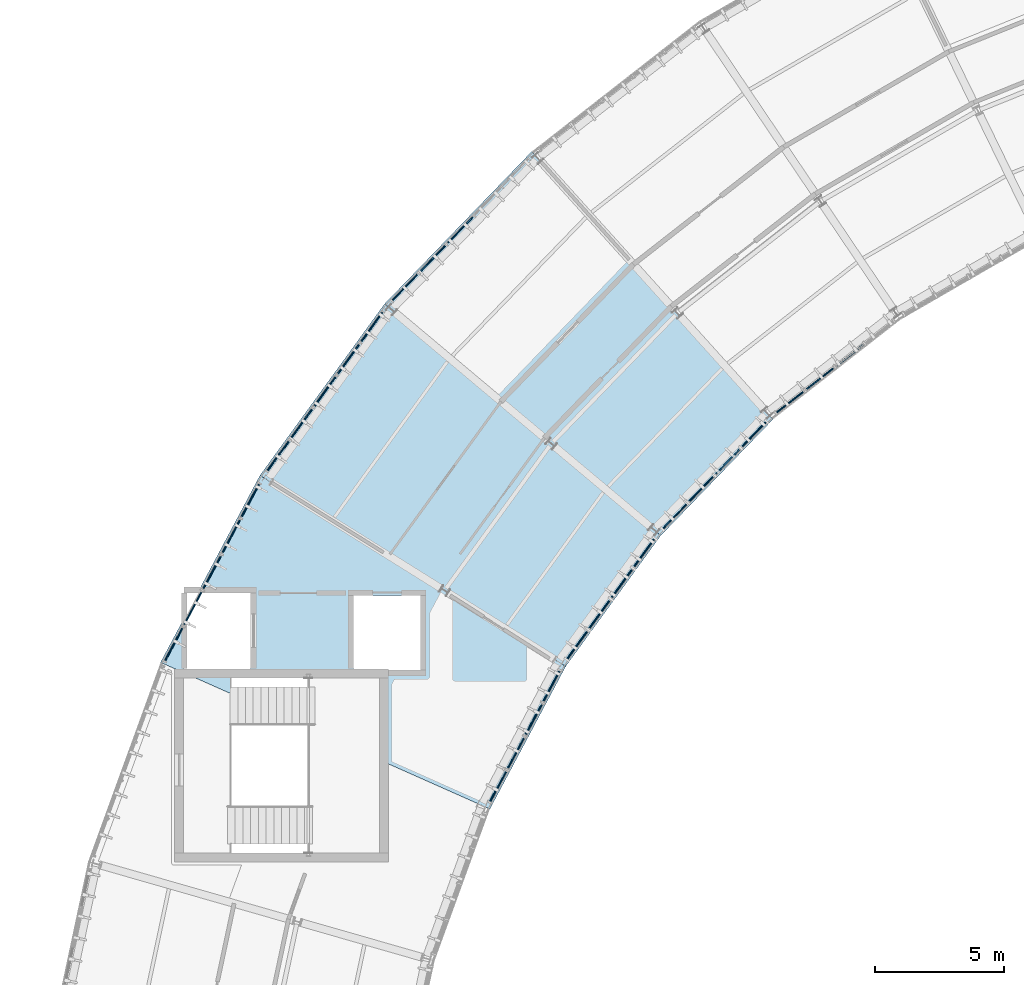
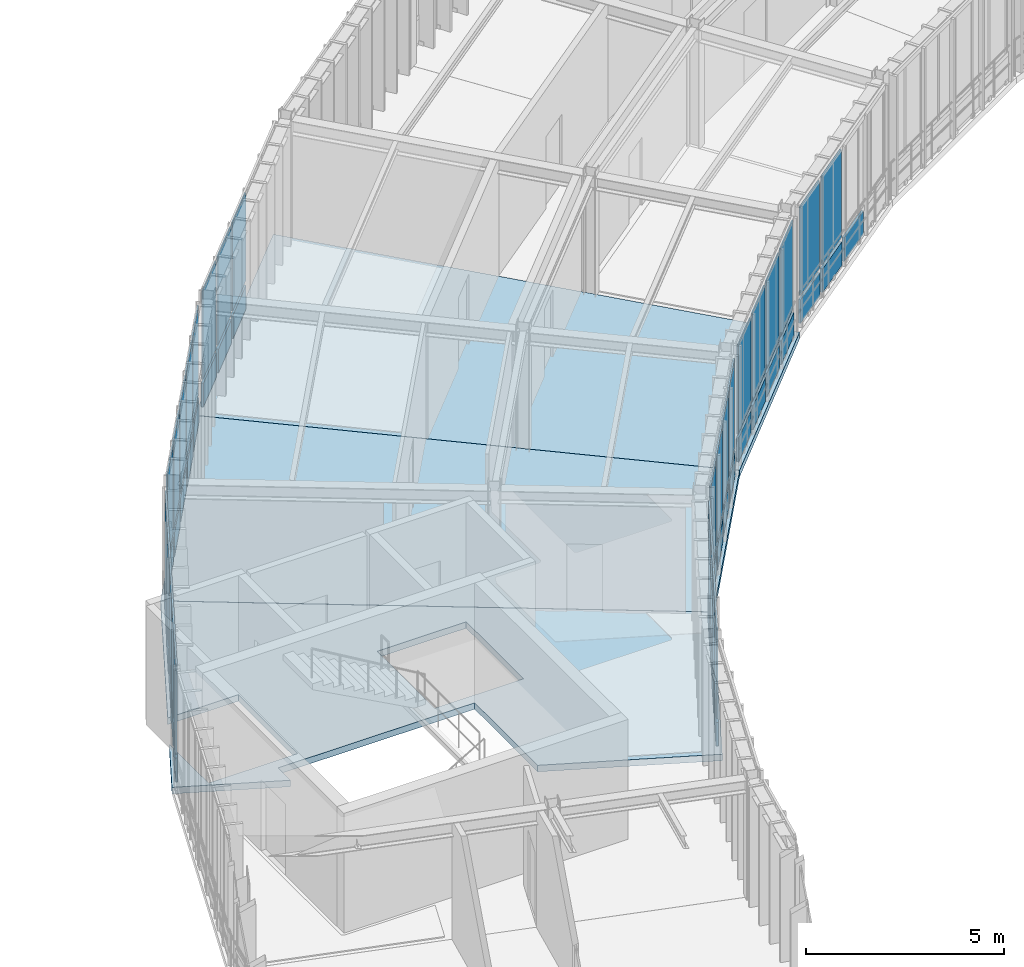
# One storey, part 20 of 41: 55 plates, 3 slabs, 7 elements without a shape of their own.
"""IFC4 building model written with IfcOpenShell, lengths in metres."""

from ifc_helpers import new_model, si_unit, direction, frame, origin, origin_2d, place, context, subcontext, project, spatial, polyline, rectangle, outline, extrude, material, layer, layer_set, type_object, element, aggregate, save


model = new_model("IFC4")

# Units and contexts
model_context = context("Model", 3, precision=1e-05, world=origin(), true_north=direction((0.0, 1.0)))
body_context = subcontext(model_context, "Body", "Model", "MODEL_VIEW")
ifc_project = project(units=[si_unit("LENGTHUNIT", "METRE"), si_unit("AREAUNIT", "SQUARE_METRE"), si_unit("VOLUMEUNIT", "CUBIC_METRE"), si_unit("PLANEANGLEUNIT", "RADIAN"), si_unit("MASSUNIT", "GRAM", prefix="KILO"), si_unit("THERMODYNAMICTEMPERATUREUNIT", "KELVIN"), si_unit("POWERUNIT", "WATT")], contexts=[model_context])

# Site, building, storey
site_placement = place(None, origin())
site = spatial("IfcSite", under=ifc_project, at=site_placement, CompositionType="ELEMENT")
building_placement = place(site_placement, origin())
building = spatial("IfcBuilding", under=site, at=building_placement, Name="Solvatero Civic Police Headquarters", CompositionType="ELEMENT")
storey_placement = place(building_placement, frame((0.0, 0.0, 17.699951171875)))
storey = spatial("IfcBuildingStorey", under=building, at=storey_placement, Name="L04", CompositionType="ELEMENT", Elevation=17.699951171875)

# Curtain wall, plate
ifc_material_1 = material(Name="Anodized Bronze Aluminium", Category="aluminium")
ifc_layer_1 = layer(ifc_material_1, 0.179931640625)
ifc_layer_set_1 = layer_set([ifc_layer_1], Name="Anodized Bronze Aluminium")
curtain_wall_type_1 = type_object("IfcCurtainWallType", Name="CW-ARC-IN", PredefinedType="USERDEFINED", material=ifc_layer_set_1)
curtain_wall_1_placement = place(storey_placement, origin())
curtain_wall_1 = element("IfcCurtainWall", 1, at=curtain_wall_1_placement, inside=storey, type_object=curtain_wall_type_1, Name="Curtain Wall CW-R2-L04-ARC-IN-B06", ObjectType="UNITISED", PredefinedType="USERDEFINED")
ifc_material_2 = material(Name="Triple Low-E Laminated Glass", Category="glass")
ifc_layer_2 = layer(ifc_material_2, 0.0380859375)
ifc_layer_set_2 = layer_set([ifc_layer_2], Name="Triple Low-E Laminated Glass")
plate_type_1 = type_object("IfcPlateType", Name="CWP-GLZ-38", PredefinedType="CURTAIN_PANEL", material=ifc_layer_set_2)
plate_1_placement = place(storey_placement, frame((64.55029296875, 60.110107421875, 0.91015625), z_axis=(0.0, 0.0, 1.0), x_axis=(-0.788010753607, -0.615661475326, 0.0)))
plate_1 = element("IfcPlate", 2, at=plate_1_placement, type_object=plate_type_1, Name="CW-R2-L04-ARC-IN-B06 Vision Glazing 4", PredefinedType="CURTAIN_PANEL", context=body_context, shape_type="SweptSolid", body=[
    extrude(rectangle(XDim=1.294189453125, YDim=0.0380859375, at=origin_2d()), origin(), (0.0, 0.0, 1.0), 2.72998046875),
])

# Curtain wall, plates
ifc_layer_3 = layer(ifc_material_1, 0.179931640625)
ifc_layer_set_3 = layer_set([ifc_layer_3], Name="Anodized Bronze Aluminium")
curtain_wall_type_2 = type_object("IfcCurtainWallType", Name="CW-ARC-OUT", PredefinedType="USERDEFINED", material=ifc_layer_set_3)
curtain_wall_2_placement = place(storey_placement, origin())
curtain_wall_2 = element("IfcCurtainWall", 3, at=curtain_wall_2_placement, inside=storey, type_object=curtain_wall_type_2, Name="Curtain Wall CW-R2-L04-ARC-OUT-B07", ObjectType="UNITISED", PredefinedType="USERDEFINED")
plate_2_placement = place(storey_placement, frame((51.7451171875, 66.79833984375, 0.91015625), z_axis=(0.0, 0.0, 1.0), x_axis=(-0.694645815505, -0.719351924305, 0.0)))
plate_2 = element("IfcPlate", 4, at=plate_2_placement, type_object=plate_type_1, Name="CW-R2-L04-ARC-OUT-B07 Vision Glazing 3", PredefinedType="CURTAIN_PANEL", context=body_context, shape_type="SweptSolid", body=[
    extrude(rectangle(XDim=1.37060546875, YDim=0.0380859375, at=origin_2d()), origin(), (0.0, 0.0, 1.0), 2.72998046875),
])
plate_3_placement = place(storey_placement, frame((49.5908203125, 64.567626953125, 0.91015625), z_axis=(0.0, 0.0, 1.0), x_axis=(-0.694645815505, -0.719351924305, 0.0)))
plate_3 = element("IfcPlate", 5, at=plate_3_placement, type_object=plate_type_1, Name="CW-R2-L04-ARC-OUT-B07 Vision Glazing 5", PredefinedType="CURTAIN_PANEL", context=body_context, shape_type="SweptSolid", body=[
    extrude(rectangle(XDim=1.37060546875, YDim=0.0380859375, at=origin_2d()), origin(), (0.0, 0.0, 1.0), 2.72998046875),
])

curtain_wall_3_placement = place(storey_placement, origin())
curtain_wall_3 = element("IfcCurtainWall", 6, at=curtain_wall_3_placement, inside=storey, type_object=curtain_wall_type_1, Name="Curtain Wall CW-R2-L04-ARC-IN-B07", ObjectType="UNITISED", PredefinedType="USERDEFINED")
plate_4_placement = place(storey_placement, frame((62.131103515625, 57.793212890625, 0.91015625), z_axis=(0.0, 0.0, 1.0), x_axis=(-0.694658370459, -0.719339800339, 0.0)))
plate_4 = element("IfcPlate", 7, at=plate_4_placement, type_object=plate_type_1, Name="CW-R2-L04-ARC-IN-B07 Vision Glazing 2", PredefinedType="CURTAIN_PANEL", context=body_context, shape_type="SweptSolid", body=[
    extrude(rectangle(XDim=1.294189453125, YDim=0.0380859375, at=origin_2d()), origin(), (0.0, 0.0, 1.0), 2.72998046875),
])
plate_5_placement = place(storey_placement, frame((60.082763671875, 55.67236328125, 0.91015625), z_axis=(0.0, 0.0, 1.0), x_axis=(-0.694658370459, -0.719339800339, 0.0)))
plate_5 = element("IfcPlate", 8, at=plate_5_placement, type_object=plate_type_1, Name="CW-R2-L04-ARC-IN-B07 Vision Glazing 4", PredefinedType="CURTAIN_PANEL", context=body_context, shape_type="SweptSolid", body=[
    extrude(rectangle(XDim=1.294189453125, YDim=0.0380859375, at=origin_2d()), origin(), (0.0, 0.0, 1.0), 2.72998046875),
])

curtain_wall_4_placement = place(storey_placement, origin())
curtain_wall_4 = element("IfcCurtainWall", 9, at=curtain_wall_4_placement, inside=storey, type_object=curtain_wall_type_2, Name="Curtain Wall CW-R2-L04-ARC-OUT-B08", ObjectType="UNITISED", PredefinedType="USERDEFINED")
plate_6_placement = place(storey_placement, frame((48.306884765625, 63.037353515625, 0.91015625), z_axis=(0.0, 0.0, 1.0), x_axis=(-0.587785252292, -0.809016994375, 0.0)))
plate_6 = element("IfcPlate", 10, at=plate_6_placement, type_object=plate_type_1, Name="CW-R2-L04-ARC-OUT-B08 Vision Glazing 1", PredefinedType="CURTAIN_PANEL", context=body_context, shape_type="SweptSolid", body=[
    extrude(rectangle(XDim=1.37060546875, YDim=0.0380859375, at=origin_2d()), origin(), (0.0, 0.0, 1.0), 2.72998046875),
])
plate_7_placement = place(storey_placement, frame((46.484130859375, 60.528564453125, 0.91015625), z_axis=(0.0, 0.0, 1.0), x_axis=(-0.587785252292, -0.809016994375, 0.0)))
plate_7 = element("IfcPlate", 11, at=plate_7_placement, type_object=plate_type_1, Name="CW-R2-L04-ARC-OUT-B08 Vision Glazing 3", PredefinedType="CURTAIN_PANEL", context=body_context, shape_type="SweptSolid", body=[
    extrude(rectangle(XDim=1.37060546875, YDim=0.0380859375, at=origin_2d()), origin(), (0.0, 0.0, 1.0), 2.72998046875),
])
plate_8_placement = place(storey_placement, frame((44.661376953125, 58.019775390625, 0.91015625), z_axis=(0.0, 0.0, 1.0), x_axis=(-0.587785252292, -0.809016994375, 0.0)))
plate_8 = element("IfcPlate", 12, at=plate_8_placement, type_object=plate_type_1, Name="CW-R2-L04-ARC-OUT-B08 Vision Glazing 5", PredefinedType="CURTAIN_PANEL", context=body_context, shape_type="SweptSolid", body=[
    extrude(rectangle(XDim=1.37060546875, YDim=0.0380859375, at=origin_2d()), origin(), (0.0, 0.0, 1.0), 2.72998046875),
])

curtain_wall_5_placement = place(storey_placement, origin())
curtain_wall_5 = element("IfcCurtainWall", 13, at=curtain_wall_5_placement, inside=storey, type_object=curtain_wall_type_1, Name="Curtain Wall CW-R2-L04-ARC-IN-B08", ObjectType="UNITISED", PredefinedType="USERDEFINED")
plate_9_placement = place(storey_placement, frame((58.022216796875, 53.056640625, 0.91015625), z_axis=(0.0, 0.0, 1.0), x_axis=(-0.587799372213, -0.809006735464, 0.0)))
plate_9 = element("IfcPlate", 14, at=plate_9_placement, type_object=plate_type_1, Name="CW-R2-L04-ARC-IN-B08 Vision Glazing 2", PredefinedType="CURTAIN_PANEL", context=body_context, shape_type="SweptSolid", body=[
    extrude(rectangle(XDim=1.294189453125, YDim=0.0380859375, at=origin_2d()), origin(), (0.0, 0.0, 1.0), 2.72998046875),
])
plate_10_placement = place(storey_placement, frame((56.289306640625, 50.67138671875, 0.91015625), z_axis=(0.0, 0.0, 1.0), x_axis=(-0.587799372213, -0.809006735464, 0.0)))
plate_10 = element("IfcPlate", 15, at=plate_10_placement, type_object=plate_type_1, Name="CW-R2-L04-ARC-IN-B08 Vision Glazing 4", PredefinedType="CURTAIN_PANEL", context=body_context, shape_type="SweptSolid", body=[
    extrude(rectangle(XDim=1.294189453125, YDim=0.0380859375, at=origin_2d()), origin(), (0.0, 0.0, 1.0), 2.72998046875),
])

curtain_wall_6_placement = place(storey_placement, origin())
curtain_wall_6 = element("IfcCurtainWall", 16, at=curtain_wall_6_placement, inside=storey, type_object=curtain_wall_type_2, Name="Curtain Wall CW-R2-L04-ARC-OUT-B09", ObjectType="UNITISED", PredefinedType="USERDEFINED")
plate_11_placement = place(storey_placement, frame((43.58447265625, 56.294189453125, 0.91015625), z_axis=(0.0, 0.0, 1.0), x_axis=(-0.469486973057, -0.8829393989, 0.0)))
plate_11 = element("IfcPlate", 17, at=plate_11_placement, type_object=plate_type_1, Name="CW-R2-L04-ARC-OUT-B09 Vision Glazing 1", PredefinedType="CURTAIN_PANEL", context=body_context, shape_type="SweptSolid", body=[
    extrude(rectangle(XDim=1.40380859375, YDim=0.0380859375, at=origin_2d()), origin(), (0.0, 0.0, 1.0), 2.72998046875),
])
plate_12_placement = place(storey_placement, frame((42.097412109375, 53.49755859375, 0.91015625), z_axis=(0.0, 0.0, 1.0), x_axis=(-0.469486973057, -0.8829393989, 0.0)))
plate_12 = element("IfcPlate", 18, at=plate_12_placement, type_object=plate_type_1, Name="CW-R2-L04-ARC-OUT-B09 Vision Glazing 3", PredefinedType="CURTAIN_PANEL", context=body_context, shape_type="SweptSolid", body=[
    extrude(rectangle(XDim=1.40380859375, YDim=0.0380859375, at=origin_2d()), origin(), (0.0, 0.0, 1.0), 2.72998046875),
])
plate_13_placement = place(storey_placement, frame((40.6103515625, 50.70068359375, 0.91015625), z_axis=(0.0, 0.0, 1.0), x_axis=(-0.469486973057, -0.8829393989, 0.0)))
plate_13 = element("IfcPlate", 19, at=plate_13_placement, type_object=plate_type_1, Name="CW-R2-L04-ARC-OUT-B09 Vision Glazing 5", PredefinedType="CURTAIN_PANEL", context=body_context, shape_type="SweptSolid", body=[
    extrude(rectangle(XDim=1.40380859375, YDim=0.0380859375, at=origin_2d()), origin(), (0.0, 0.0, 1.0), 2.72998046875),
])

curtain_wall_7_placement = place(storey_placement, origin())
curtain_wall_7 = element("IfcCurtainWall", 20, at=curtain_wall_7_placement, inside=storey, type_object=curtain_wall_type_1, Name="Curtain Wall CW-R2-L04-ARC-IN-B09", ObjectType="UNITISED", PredefinedType="USERDEFINED")
plate_14_placement = place(storey_placement, frame((54.60205078125, 47.77734375, 0.91015625), z_axis=(0.0, 0.0, 1.0), x_axis=(-0.469486973057, -0.8829393989, 0.0)))
plate_14 = element("IfcPlate", 21, at=plate_14_placement, type_object=plate_type_1, Name="CW-R2-L04-ARC-IN-B09 Vision Glazing 2", PredefinedType="CURTAIN_PANEL", context=body_context, shape_type="SweptSolid", body=[
    extrude(rectangle(XDim=1.294189453125, YDim=0.0380859375, at=origin_2d()), origin(), (0.0, 0.0, 1.0), 2.72998046875),
])
plate_15_placement = place(storey_placement, frame((53.218017578125, 45.174072265625, 0.91015625), z_axis=(0.0, 0.0, 1.0), x_axis=(-0.469486973057, -0.8829393989, 0.0)))
plate_15 = element("IfcPlate", 22, at=plate_15_placement, type_object=plate_type_1, Name="CW-R2-L04-ARC-IN-B09 Vision Glazing 4", PredefinedType="CURTAIN_PANEL", context=body_context, shape_type="SweptSolid", body=[
    extrude(rectangle(XDim=1.294189453125, YDim=0.0380859375, at=origin_2d()), origin(), (0.0, 0.0, 1.0), 2.72998046875),
])

# Plate
ifc_material_3 = material(Name="Acoustic Ballistic Laminated Glass", Category="glass")
ifc_layer_4 = layer(ifc_material_3, 0.0439453125)
ifc_layer_set_4 = layer_set([ifc_layer_4], Name="Acoustic Ballistic Laminated Glass")
plate_type_2 = type_object("IfcPlateType", Name="CWP-GLZ-44", PredefinedType="CURTAIN_PANEL", material=ifc_layer_set_4)
plate_16_placement = place(storey_placement, frame((65.712158203125, 61.017578125, 0.91015625), z_axis=(0.0, 0.0, 1.0), x_axis=(-0.788010753607, -0.615661475326, 0.0)))
plate_16 = element("IfcPlate", 23, at=plate_16_placement, type_object=plate_type_2, Name="CW-R2-L04-ARC-IN-B06 Vision Glazing 3", PredefinedType="CURTAIN_PANEL", context=body_context, shape_type="SweptSolid", body=[
    extrude(rectangle(XDim=1.294189453125, YDim=0.0439453125, at=origin_2d()), origin(), (0.0, 0.0, 1.0), 2.72998046875),
])

plate_17_placement = place(storey_placement, frame((50.66796875, 65.682861328125, 0.91015625), z_axis=(0.0, 0.0, 1.0), x_axis=(-0.694645815505, -0.719351924305, 0.0)))
plate_17 = element("IfcPlate", 24, at=plate_17_placement, type_object=plate_type_2, Name="CW-R2-L04-ARC-OUT-B07 Vision Glazing 4", PredefinedType="CURTAIN_PANEL", context=body_context, shape_type="SweptSolid", body=[
    extrude(rectangle(XDim=1.37060546875, YDim=0.0439453125, at=origin_2d()), origin(), (0.0, 0.0, 1.0), 2.72998046875),
])

plate_18_placement = place(storey_placement, frame((63.155029296875, 58.853759765625, 0.91015625), z_axis=(0.0, 0.0, 1.0), x_axis=(-0.694658370459, -0.719339800339, 0.0)))
plate_18 = element("IfcPlate", 25, at=plate_18_placement, type_object=plate_type_2, Name="CW-R2-L04-ARC-IN-B07 Vision Glazing 1", PredefinedType="CURTAIN_PANEL", context=body_context, shape_type="SweptSolid", body=[
    extrude(rectangle(XDim=1.294189453125, YDim=0.0439453125, at=origin_2d()), origin(), (0.0, 0.0, 1.0), 2.72998046875),
])

plate_19_placement = place(storey_placement, frame((61.10693359375, 56.73291015625, 0.91015625), z_axis=(0.0, 0.0, 1.0), x_axis=(-0.694658370459, -0.719339800339, 0.0)))
plate_19 = element("IfcPlate", 26, at=plate_19_placement, type_object=plate_type_2, Name="CW-R2-L04-ARC-IN-B07 Vision Glazing 3", PredefinedType="CURTAIN_PANEL", context=body_context, shape_type="SweptSolid", body=[
    extrude(rectangle(XDim=1.294189453125, YDim=0.0439453125, at=origin_2d()), origin(), (0.0, 0.0, 1.0), 2.72998046875),
])

plate_20_placement = place(storey_placement, frame((47.3955078125, 61.782958984375, 0.91015625), z_axis=(0.0, 0.0, 1.0), x_axis=(-0.587785252292, -0.809016994375, 0.0)))
plate_20 = element("IfcPlate", 27, at=plate_20_placement, type_object=plate_type_2, Name="CW-R2-L04-ARC-OUT-B08 Vision Glazing 2", PredefinedType="CURTAIN_PANEL", context=body_context, shape_type="SweptSolid", body=[
    extrude(rectangle(XDim=1.37060546875, YDim=0.0439453125, at=origin_2d()), origin(), (0.0, 0.0, 1.0), 2.72998046875),
])

plate_21_placement = place(storey_placement, frame((45.57275390625, 59.274169921875, 0.91015625), z_axis=(0.0, 0.0, 1.0), x_axis=(-0.587785252292, -0.809016994375, 0.0)))
plate_21 = element("IfcPlate", 28, at=plate_21_placement, type_object=plate_type_2, Name="CW-R2-L04-ARC-OUT-B08 Vision Glazing 4", PredefinedType="CURTAIN_PANEL", context=body_context, shape_type="SweptSolid", body=[
    extrude(rectangle(XDim=1.37060546875, YDim=0.0439453125, at=origin_2d()), origin(), (0.0, 0.0, 1.0), 2.72998046875),
])

plate_22_placement = place(storey_placement, frame((58.888916015625, 54.24951171875, 0.91015625), z_axis=(0.0, 0.0, 1.0), x_axis=(-0.587799372213, -0.809006735464, 0.0)))
plate_22 = element("IfcPlate", 29, at=plate_22_placement, type_object=plate_type_2, Name="CW-R2-L04-ARC-IN-B08 Vision Glazing 1", PredefinedType="CURTAIN_PANEL", context=body_context, shape_type="SweptSolid", body=[
    extrude(rectangle(XDim=1.294189453125, YDim=0.0439453125, at=origin_2d()), origin(), (0.0, 0.0, 1.0), 2.72998046875),
])

plate_23_placement = place(storey_placement, frame((57.15576171875, 51.864013671875, 0.91015625), z_axis=(0.0, 0.0, 1.0), x_axis=(-0.587799372213, -0.809006735464, 0.0)))
plate_23 = element("IfcPlate", 30, at=plate_23_placement, type_object=plate_type_2, Name="CW-R2-L04-ARC-IN-B08 Vision Glazing 3", PredefinedType="CURTAIN_PANEL", context=body_context, shape_type="SweptSolid", body=[
    extrude(rectangle(XDim=1.294189453125, YDim=0.0439453125, at=origin_2d()), origin(), (0.0, 0.0, 1.0), 2.72998046875),
])

plate_24_placement = place(storey_placement, frame((42.8408203125, 54.895751953125, 0.91015625), z_axis=(0.0, 0.0, 1.0), x_axis=(-0.469486973057, -0.8829393989, 0.0)))
plate_24 = element("IfcPlate", 31, at=plate_24_placement, type_object=plate_type_2, Name="CW-R2-L04-ARC-OUT-B09 Vision Glazing 2", PredefinedType="CURTAIN_PANEL", context=body_context, shape_type="SweptSolid", body=[
    extrude(rectangle(XDim=1.40380859375, YDim=0.0439453125, at=origin_2d()), origin(), (0.0, 0.0, 1.0), 2.72998046875),
])

plate_25_placement = place(storey_placement, frame((41.35400390625, 52.09912109375, 0.91015625), z_axis=(0.0, 0.0, 1.0), x_axis=(-0.469486973057, -0.8829393989, 0.0)))
plate_25 = element("IfcPlate", 32, at=plate_25_placement, type_object=plate_type_2, Name="CW-R2-L04-ARC-OUT-B09 Vision Glazing 4", PredefinedType="CURTAIN_PANEL", context=body_context, shape_type="SweptSolid", body=[
    extrude(rectangle(XDim=1.40380859375, YDim=0.0439453125, at=origin_2d()), origin(), (0.0, 0.0, 1.0), 2.72998046875),
])

plate_26_placement = place(storey_placement, frame((55.294189453125, 49.0791015625, 0.91015625), z_axis=(0.0, 0.0, 1.0), x_axis=(-0.469486973057, -0.8829393989, 0.0)))
plate_26 = element("IfcPlate", 33, at=plate_26_placement, type_object=plate_type_2, Name="CW-R2-L04-ARC-IN-B09 Vision Glazing 1", PredefinedType="CURTAIN_PANEL", context=body_context, shape_type="SweptSolid", body=[
    extrude(rectangle(XDim=1.294189453125, YDim=0.0439453125, at=origin_2d()), origin(), (0.0, 0.0, 1.0), 2.72998046875),
])

plate_27_placement = place(storey_placement, frame((53.909912109375, 46.4755859375, 0.91015625), z_axis=(0.0, 0.0, 1.0), x_axis=(-0.469486973057, -0.8829393989, 0.0)))
plate_27 = element("IfcPlate", 34, at=plate_27_placement, type_object=plate_type_2, Name="CW-R2-L04-ARC-IN-B09 Vision Glazing 3", PredefinedType="CURTAIN_PANEL", context=body_context, shape_type="SweptSolid", body=[
    extrude(rectangle(XDim=1.294189453125, YDim=0.0439453125, at=origin_2d()), origin(), (0.0, 0.0, 1.0), 2.72998046875),
])

ifc_material_4 = material(Name="Insulated Bronze Aluminium Spandrel", Category="aluminium")
ifc_layer_5 = layer(ifc_material_4, 0.06005859375)
ifc_layer_set_5 = layer_set([ifc_layer_5], Name="Insulated Bronze Aluminium Spandrel")
plate_type_3 = type_object("IfcPlateType", Name="CWP-SPN-60", PredefinedType="CURTAIN_PANEL", material=ifc_layer_set_5)
plate_28_placement = place(storey_placement, frame((66.873779296875, 61.92529296875, 0.06005859375), z_axis=(0.0, 0.0, 1.0), x_axis=(-0.788010753607, -0.615661475326, 0.0)))
plate_28 = element("IfcPlate", 35, at=plate_28_placement, type_object=plate_type_3, Name="CW-R2-L04-ARC-IN-B06 Spandrel Panel 2", PredefinedType="CURTAIN_PANEL", context=body_context, shape_type="SweptSolid", body=[
    extrude(rectangle(XDim=1.294189453125, YDim=0.06005859375, at=origin_2d()), origin(), (0.0, 0.0, 1.0), 0.72998046875),
])

plate_29_placement = place(storey_placement, frame((64.55029296875, 60.110107421875, 0.06005859375), z_axis=(0.0, 0.0, 1.0), x_axis=(-0.788010753607, -0.615661475326, 0.0)))
plate_29 = element("IfcPlate", 36, at=plate_29_placement, type_object=plate_type_3, Name="CW-R2-L04-ARC-IN-B06 Spandrel Panel 4", PredefinedType="CURTAIN_PANEL", context=body_context, shape_type="SweptSolid", body=[
    extrude(rectangle(XDim=1.294189453125, YDim=0.06005859375, at=origin_2d()), origin(), (0.0, 0.0, 1.0), 0.72998046875),
])

plate_30_placement = place(storey_placement, frame((51.7451171875, 66.79833984375, 0.06005859375), z_axis=(0.0, 0.0, 1.0), x_axis=(-0.694645815505, -0.719351924305, 0.0)))
plate_30 = element("IfcPlate", 37, at=plate_30_placement, type_object=plate_type_3, Name="CW-R2-L04-ARC-OUT-B07 Spandrel Panel 3", PredefinedType="CURTAIN_PANEL", context=body_context, shape_type="SweptSolid", body=[
    extrude(rectangle(XDim=1.37060546875, YDim=0.06005859375, at=origin_2d()), origin(), (0.0, 0.0, 1.0), 0.72998046875),
])

plate_31_placement = place(storey_placement, frame((49.5908203125, 64.567626953125, 0.06005859375), z_axis=(0.0, 0.0, 1.0), x_axis=(-0.694645815505, -0.719351924305, 0.0)))
plate_31 = element("IfcPlate", 38, at=plate_31_placement, type_object=plate_type_3, Name="CW-R2-L04-ARC-OUT-B07 Spandrel Panel 5", PredefinedType="CURTAIN_PANEL", context=body_context, shape_type="SweptSolid", body=[
    extrude(rectangle(XDim=1.37060546875, YDim=0.06005859375, at=origin_2d()), origin(), (0.0, 0.0, 1.0), 0.72998046875),
])

plate_32_placement = place(storey_placement, frame((62.131103515625, 57.793212890625, 0.06005859375), z_axis=(0.0, 0.0, 1.0), x_axis=(-0.694658370459, -0.719339800339, 0.0)))
plate_32 = element("IfcPlate", 39, at=plate_32_placement, type_object=plate_type_3, Name="CW-R2-L04-ARC-IN-B07 Spandrel Panel 2", PredefinedType="CURTAIN_PANEL", context=body_context, shape_type="SweptSolid", body=[
    extrude(rectangle(XDim=1.294189453125, YDim=0.06005859375, at=origin_2d()), origin(), (0.0, 0.0, 1.0), 0.72998046875),
])

plate_33_placement = place(storey_placement, frame((60.082763671875, 55.67236328125, 0.06005859375), z_axis=(0.0, 0.0, 1.0), x_axis=(-0.694658370459, -0.719339800339, 0.0)))
plate_33 = element("IfcPlate", 40, at=plate_33_placement, type_object=plate_type_3, Name="CW-R2-L04-ARC-IN-B07 Spandrel Panel 4", PredefinedType="CURTAIN_PANEL", context=body_context, shape_type="SweptSolid", body=[
    extrude(rectangle(XDim=1.294189453125, YDim=0.06005859375, at=origin_2d()), origin(), (0.0, 0.0, 1.0), 0.72998046875),
])

plate_34_placement = place(storey_placement, frame((48.306884765625, 63.037353515625, 0.06005859375), z_axis=(0.0, 0.0, 1.0), x_axis=(-0.587785252292, -0.809016994375, 0.0)))
plate_34 = element("IfcPlate", 41, at=plate_34_placement, type_object=plate_type_3, Name="CW-R2-L04-ARC-OUT-B08 Spandrel Panel 1", PredefinedType="CURTAIN_PANEL", context=body_context, shape_type="SweptSolid", body=[
    extrude(rectangle(XDim=1.37060546875, YDim=0.06005859375, at=origin_2d()), origin(), (0.0, 0.0, 1.0), 0.72998046875),
])

plate_35_placement = place(storey_placement, frame((46.484130859375, 60.528564453125, 0.06005859375), z_axis=(0.0, 0.0, 1.0), x_axis=(-0.587785252292, -0.809016994375, 0.0)))
plate_35 = element("IfcPlate", 42, at=plate_35_placement, type_object=plate_type_3, Name="CW-R2-L04-ARC-OUT-B08 Spandrel Panel 3", PredefinedType="CURTAIN_PANEL", context=body_context, shape_type="SweptSolid", body=[
    extrude(rectangle(XDim=1.37060546875, YDim=0.06005859375, at=origin_2d()), origin(), (0.0, 0.0, 1.0), 0.72998046875),
])

plate_36_placement = place(storey_placement, frame((44.661376953125, 58.019775390625, 0.06005859375), z_axis=(0.0, 0.0, 1.0), x_axis=(-0.587785252292, -0.809016994375, 0.0)))
plate_36 = element("IfcPlate", 43, at=plate_36_placement, type_object=plate_type_3, Name="CW-R2-L04-ARC-OUT-B08 Spandrel Panel 5", PredefinedType="CURTAIN_PANEL", context=body_context, shape_type="SweptSolid", body=[
    extrude(rectangle(XDim=1.37060546875, YDim=0.06005859375, at=origin_2d()), origin(), (0.0, 0.0, 1.0), 0.72998046875),
])

plate_37_placement = place(storey_placement, frame((58.022216796875, 53.056640625, 0.06005859375), z_axis=(0.0, 0.0, 1.0), x_axis=(-0.587799372213, -0.809006735464, 0.0)))
plate_37 = element("IfcPlate", 44, at=plate_37_placement, type_object=plate_type_3, Name="CW-R2-L04-ARC-IN-B08 Spandrel Panel 2", PredefinedType="CURTAIN_PANEL", context=body_context, shape_type="SweptSolid", body=[
    extrude(rectangle(XDim=1.294189453125, YDim=0.06005859375, at=origin_2d()), origin(), (0.0, 0.0, 1.0), 0.72998046875),
])

plate_38_placement = place(storey_placement, frame((56.289306640625, 50.67138671875, 0.06005859375), z_axis=(0.0, 0.0, 1.0), x_axis=(-0.587799372213, -0.809006735464, 0.0)))
plate_38 = element("IfcPlate", 45, at=plate_38_placement, type_object=plate_type_3, Name="CW-R2-L04-ARC-IN-B08 Spandrel Panel 4", PredefinedType="CURTAIN_PANEL", context=body_context, shape_type="SweptSolid", body=[
    extrude(rectangle(XDim=1.294189453125, YDim=0.06005859375, at=origin_2d()), origin(), (0.0, 0.0, 1.0), 0.72998046875),
])

plate_39_placement = place(storey_placement, frame((43.58447265625, 56.294189453125, 0.06005859375), z_axis=(0.0, 0.0, 1.0), x_axis=(-0.469486973057, -0.8829393989, 0.0)))
plate_39 = element("IfcPlate", 46, at=plate_39_placement, type_object=plate_type_3, Name="CW-R2-L04-ARC-OUT-B09 Spandrel Panel 1", PredefinedType="CURTAIN_PANEL", context=body_context, shape_type="SweptSolid", body=[
    extrude(rectangle(XDim=1.40380859375, YDim=0.06005859375, at=origin_2d()), origin(), (0.0, 0.0, 1.0), 0.72998046875),
])

plate_40_placement = place(storey_placement, frame((42.097412109375, 53.49755859375, 0.06005859375), z_axis=(0.0, 0.0, 1.0), x_axis=(-0.469486973057, -0.8829393989, 0.0)))
plate_40 = element("IfcPlate", 47, at=plate_40_placement, type_object=plate_type_3, Name="CW-R2-L04-ARC-OUT-B09 Spandrel Panel 3", PredefinedType="CURTAIN_PANEL", context=body_context, shape_type="SweptSolid", body=[
    extrude(rectangle(XDim=1.40380859375, YDim=0.06005859375, at=origin_2d()), origin(), (0.0, 0.0, 1.0), 0.72998046875),
])

plate_41_placement = place(storey_placement, frame((40.6103515625, 50.70068359375, 0.06005859375), z_axis=(0.0, 0.0, 1.0), x_axis=(-0.469486973057, -0.8829393989, 0.0)))
plate_41 = element("IfcPlate", 48, at=plate_41_placement, type_object=plate_type_3, Name="CW-R2-L04-ARC-OUT-B09 Spandrel Panel 5", PredefinedType="CURTAIN_PANEL", context=body_context, shape_type="SweptSolid", body=[
    extrude(rectangle(XDim=1.40380859375, YDim=0.06005859375, at=origin_2d()), origin(), (0.0, 0.0, 1.0), 0.72998046875),
])

plate_42_placement = place(storey_placement, frame((54.60205078125, 47.77734375, 0.06005859375), z_axis=(0.0, 0.0, 1.0), x_axis=(-0.469486973057, -0.8829393989, 0.0)))
plate_42 = element("IfcPlate", 49, at=plate_42_placement, type_object=plate_type_3, Name="CW-R2-L04-ARC-IN-B09 Spandrel Panel 2", PredefinedType="CURTAIN_PANEL", context=body_context, shape_type="SweptSolid", body=[
    extrude(rectangle(XDim=1.294189453125, YDim=0.06005859375, at=origin_2d()), origin(), (0.0, 0.0, 1.0), 0.72998046875),
])

plate_43_placement = place(storey_placement, frame((53.218017578125, 45.174072265625, 0.06005859375), z_axis=(0.0, 0.0, 1.0), x_axis=(-0.469486973057, -0.8829393989, 0.0)))
plate_43 = element("IfcPlate", 50, at=plate_43_placement, type_object=plate_type_3, Name="CW-R2-L04-ARC-IN-B09 Spandrel Panel 4", PredefinedType="CURTAIN_PANEL", context=body_context, shape_type="SweptSolid", body=[
    extrude(rectangle(XDim=1.294189453125, YDim=0.06005859375, at=origin_2d()), origin(), (0.0, 0.0, 1.0), 0.72998046875),
])

ifc_material_5 = material(Name="Limestone Veneer Spandrel Panel", Category="masonry")
ifc_layer_6 = layer(ifc_material_5, 0.074951171875)
ifc_layer_set_6 = layer_set([ifc_layer_6], Name="Limestone Veneer Spandrel Panel")
plate_type_4 = type_object("IfcPlateType", Name="CWP-SPN-75", PredefinedType="CURTAIN_PANEL", material=ifc_layer_set_6)
plate_44_placement = place(storey_placement, frame((65.712158203125, 61.017578125, 0.06005859375), z_axis=(0.0, 0.0, 1.0), x_axis=(-0.788010753607, -0.615661475326, 0.0)))
plate_44 = element("IfcPlate", 51, at=plate_44_placement, type_object=plate_type_4, Name="CW-R2-L04-ARC-IN-B06 Spandrel Panel 3", PredefinedType="CURTAIN_PANEL", context=body_context, shape_type="SweptSolid", body=[
    extrude(rectangle(XDim=1.294189453125, YDim=0.074951171875, at=origin_2d()), origin(), (0.0, 0.0, 1.0), 0.72998046875),
])

aggregate(curtain_wall_1, [plate_28, plate_44, plate_16, plate_29, plate_1])

plate_45_placement = place(storey_placement, frame((50.66796875, 65.682861328125, 0.06005859375), z_axis=(0.0, 0.0, 1.0), x_axis=(-0.694645815505, -0.719351924305, 0.0)))
plate_45 = element("IfcPlate", 52, at=plate_45_placement, type_object=plate_type_4, Name="CW-R2-L04-ARC-OUT-B07 Spandrel Panel 4", PredefinedType="CURTAIN_PANEL", context=body_context, shape_type="SweptSolid", body=[
    extrude(rectangle(XDim=1.37060546875, YDim=0.074951171875, at=origin_2d()), origin(), (0.0, 0.0, 1.0), 0.72998046875),
])

aggregate(curtain_wall_2, [plate_30, plate_2, plate_45, plate_17, plate_31, plate_3])

plate_46_placement = place(storey_placement, frame((63.155029296875, 58.853759765625, 0.06005859375), z_axis=(0.0, 0.0, 1.0), x_axis=(-0.694658370459, -0.719339800339, 0.0)))
plate_46 = element("IfcPlate", 53, at=plate_46_placement, type_object=plate_type_4, Name="CW-R2-L04-ARC-IN-B07 Spandrel Panel 1", PredefinedType="CURTAIN_PANEL", context=body_context, shape_type="SweptSolid", body=[
    extrude(rectangle(XDim=1.294189453125, YDim=0.074951171875, at=origin_2d()), origin(), (0.0, 0.0, 1.0), 0.72998046875),
])

plate_47_placement = place(storey_placement, frame((61.10693359375, 56.73291015625, 0.06005859375), z_axis=(0.0, 0.0, 1.0), x_axis=(-0.694658370459, -0.719339800339, 0.0)))
plate_47 = element("IfcPlate", 54, at=plate_47_placement, type_object=plate_type_4, Name="CW-R2-L04-ARC-IN-B07 Spandrel Panel 3", PredefinedType="CURTAIN_PANEL", context=body_context, shape_type="SweptSolid", body=[
    extrude(rectangle(XDim=1.294189453125, YDim=0.074951171875, at=origin_2d()), origin(), (0.0, 0.0, 1.0), 0.72998046875),
])

aggregate(curtain_wall_3, [plate_46, plate_18, plate_32, plate_4, plate_47, plate_19, plate_33, plate_5])

plate_48_placement = place(storey_placement, frame((47.3955078125, 61.782958984375, 0.06005859375), z_axis=(0.0, 0.0, 1.0), x_axis=(-0.587785252292, -0.809016994375, 0.0)))
plate_48 = element("IfcPlate", 55, at=plate_48_placement, type_object=plate_type_4, Name="CW-R2-L04-ARC-OUT-B08 Spandrel Panel 2", PredefinedType="CURTAIN_PANEL", context=body_context, shape_type="SweptSolid", body=[
    extrude(rectangle(XDim=1.37060546875, YDim=0.074951171875, at=origin_2d()), origin(), (0.0, 0.0, 1.0), 0.72998046875),
])

plate_49_placement = place(storey_placement, frame((45.57275390625, 59.274169921875, 0.06005859375), z_axis=(0.0, 0.0, 1.0), x_axis=(-0.587785252292, -0.809016994375, 0.0)))
plate_49 = element("IfcPlate", 56, at=plate_49_placement, type_object=plate_type_4, Name="CW-R2-L04-ARC-OUT-B08 Spandrel Panel 4", PredefinedType="CURTAIN_PANEL", context=body_context, shape_type="SweptSolid", body=[
    extrude(rectangle(XDim=1.37060546875, YDim=0.074951171875, at=origin_2d()), origin(), (0.0, 0.0, 1.0), 0.72998046875),
])

aggregate(curtain_wall_4, [plate_34, plate_6, plate_48, plate_20, plate_35, plate_7, plate_49, plate_21, plate_36, plate_8])

plate_50_placement = place(storey_placement, frame((58.888916015625, 54.24951171875, 0.06005859375), z_axis=(0.0, 0.0, 1.0), x_axis=(-0.587799372213, -0.809006735464, 0.0)))
plate_50 = element("IfcPlate", 57, at=plate_50_placement, type_object=plate_type_4, Name="CW-R2-L04-ARC-IN-B08 Spandrel Panel 1", PredefinedType="CURTAIN_PANEL", context=body_context, shape_type="SweptSolid", body=[
    extrude(rectangle(XDim=1.294189453125, YDim=0.074951171875, at=origin_2d()), origin(), (0.0, 0.0, 1.0), 0.72998046875),
])

plate_51_placement = place(storey_placement, frame((57.15576171875, 51.864013671875, 0.06005859375), z_axis=(0.0, 0.0, 1.0), x_axis=(-0.587799372213, -0.809006735464, 0.0)))
plate_51 = element("IfcPlate", 58, at=plate_51_placement, type_object=plate_type_4, Name="CW-R2-L04-ARC-IN-B08 Spandrel Panel 3", PredefinedType="CURTAIN_PANEL", context=body_context, shape_type="SweptSolid", body=[
    extrude(rectangle(XDim=1.294189453125, YDim=0.074951171875, at=origin_2d()), origin(), (0.0, 0.0, 1.0), 0.72998046875),
])

aggregate(curtain_wall_5, [plate_50, plate_22, plate_37, plate_9, plate_51, plate_23, plate_38, plate_10])

plate_52_placement = place(storey_placement, frame((42.8408203125, 54.895751953125, 0.06005859375), z_axis=(0.0, 0.0, 1.0), x_axis=(-0.469486973057, -0.8829393989, 0.0)))
plate_52 = element("IfcPlate", 59, at=plate_52_placement, type_object=plate_type_4, Name="CW-R2-L04-ARC-OUT-B09 Spandrel Panel 2", PredefinedType="CURTAIN_PANEL", context=body_context, shape_type="SweptSolid", body=[
    extrude(rectangle(XDim=1.40380859375, YDim=0.074951171875, at=origin_2d()), origin(), (0.0, 0.0, 1.0), 0.72998046875),
])

plate_53_placement = place(storey_placement, frame((41.35400390625, 52.09912109375, 0.06005859375), z_axis=(0.0, 0.0, 1.0), x_axis=(-0.469486973057, -0.8829393989, 0.0)))
plate_53 = element("IfcPlate", 60, at=plate_53_placement, type_object=plate_type_4, Name="CW-R2-L04-ARC-OUT-B09 Spandrel Panel 4", PredefinedType="CURTAIN_PANEL", context=body_context, shape_type="SweptSolid", body=[
    extrude(rectangle(XDim=1.40380859375, YDim=0.074951171875, at=origin_2d()), origin(), (0.0, 0.0, 1.0), 0.72998046875),
])

aggregate(curtain_wall_6, [plate_39, plate_11, plate_52, plate_24, plate_40, plate_12, plate_53, plate_25, plate_41, plate_13])

plate_54_placement = place(storey_placement, frame((55.294189453125, 49.0791015625, 0.06005859375), z_axis=(0.0, 0.0, 1.0), x_axis=(-0.469486973057, -0.8829393989, 0.0)))
plate_54 = element("IfcPlate", 61, at=plate_54_placement, type_object=plate_type_4, Name="CW-R2-L04-ARC-IN-B09 Spandrel Panel 1", PredefinedType="CURTAIN_PANEL", context=body_context, shape_type="SweptSolid", body=[
    extrude(rectangle(XDim=1.294189453125, YDim=0.074951171875, at=origin_2d()), origin(), (0.0, 0.0, 1.0), 0.72998046875),
])

plate_55_placement = place(storey_placement, frame((53.909912109375, 46.4755859375, 0.06005859375), z_axis=(0.0, 0.0, 1.0), x_axis=(-0.469486973057, -0.8829393989, 0.0)))
plate_55 = element("IfcPlate", 62, at=plate_55_placement, type_object=plate_type_4, Name="CW-R2-L04-ARC-IN-B09 Spandrel Panel 3", PredefinedType="CURTAIN_PANEL", context=body_context, shape_type="SweptSolid", body=[
    extrude(rectangle(XDim=1.294189453125, YDim=0.074951171875, at=origin_2d()), origin(), (0.0, 0.0, 1.0), 0.72998046875),
])

aggregate(curtain_wall_7, [plate_54, plate_26, plate_42, plate_14, plate_55, plate_27, plate_43, plate_15])

# Slabs
ifc_material_6 = material(Name="Concrete C35/45", Category="concrete")
ifc_layer_7 = layer(ifc_material_6, 0.199951171875)
ifc_layer_set_7 = layer_set([ifc_layer_7], Name="Concrete C35/45")
slab_type = type_object("IfcSlabType", Name="SLB-COMP-200", PredefinedType="FLOOR", material=ifc_layer_set_7)
slab_1_placement = place(storey_placement, frame((0.0, 0.0, -0.199951171875)))
element("IfcSlab", 63, at=slab_1_placement, inside=storey, type_object=slab_type, Name="L04 Operations Arc Floor Slab Bay 7", PredefinedType="FLOOR", context=body_context, shape_type="SweptSolid", body=[
    extrude(outline(polyline([(54.52001953125, 69.843994140625), (63.8876953125, 59.440185546875), (59.528076171875, 54.92529296875), (48.803466796875, 63.924560546875), (54.52001953125, 69.843994140625)])), origin(), (0.0, 0.0, 1.0), 0.199951171875),
])
slab_2_placement = place(storey_placement, frame((0.0, 0.0, -0.199951171875)))
element("IfcSlab", 64, at=slab_2_placement, inside=storey, type_object=slab_type, Name="L04 Operations Arc Floor Slab Bay 8", PredefinedType="FLOOR", context=body_context, shape_type="SweptSolid", body=[
    extrude(outline(polyline([(48.80224609375, 63.9228515625), (59.52685546875, 54.923828125), (55.837890625, 49.846435546875), (43.965087890625, 57.26513671875), (48.80224609375, 63.9228515625)])), origin(), (0.0, 0.0, 1.0), 0.199951171875),
])
slab_3_placement = place(storey_placement, frame((0.0, 0.0, -0.199951171875)))
element("IfcSlab", 65, at=slab_3_placement, inside=storey, type_object=slab_type, Name="L04 Operations Arc Floor Slab Bay 9", PredefinedType="FLOOR", context=body_context, shape_type="SweptSolid", body=[
    extrude(outline(polyline([(52.890380859375, 44.302978515625), (48.60009765625, 46.21337890625), (48.60009765625, 49.39990234375), (42.860107421875, 49.39990234375), (42.860107421875, 48.76904296875), (40.100830078125, 49.99755859375), (41.0, 51.688720703125), (41.0, 49.699951171875), (43.60009765625, 49.699951171875), (43.60009765625, 52.699951171875), (41.537841796875, 52.699951171875), (43.96435546875, 57.263427734375), (55.8369140625, 49.844482421875), (52.890380859375, 44.302978515625)]), holes=[polyline([(50.199951171875, 49.699951171875), (50.199951171875, 52.60009765625), (47.60009765625, 52.60009765625), (47.60009765625, 49.699951171875), (50.199951171875, 49.699951171875)])]), origin(), (0.0, 0.0, 1.0), 0.199951171875),
])

save(model, "model.ifc")
